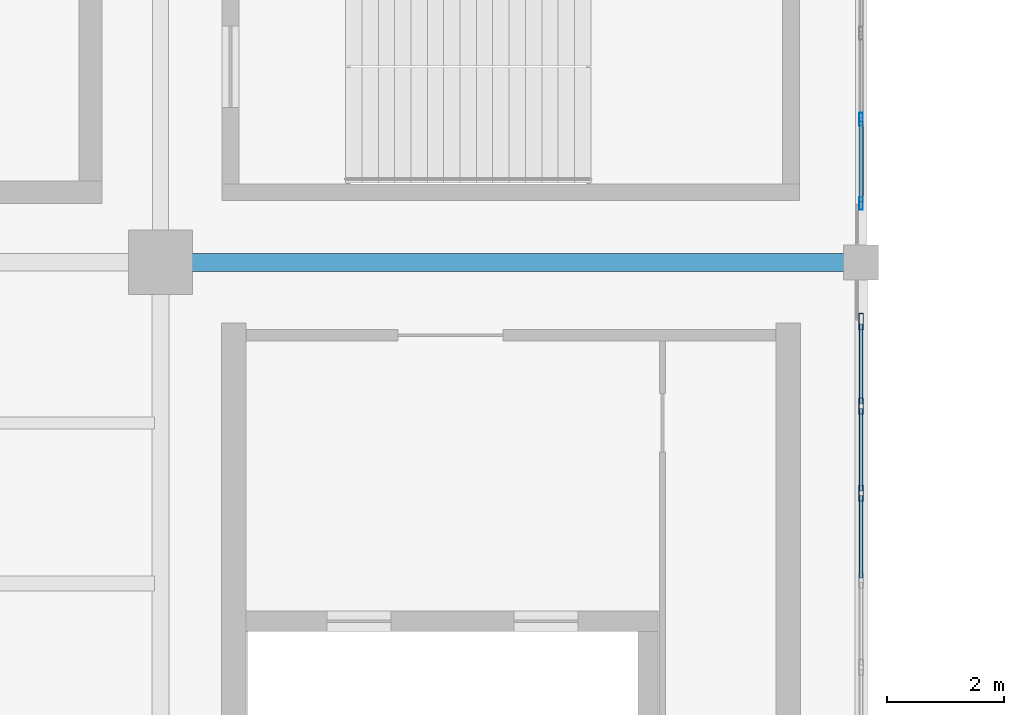
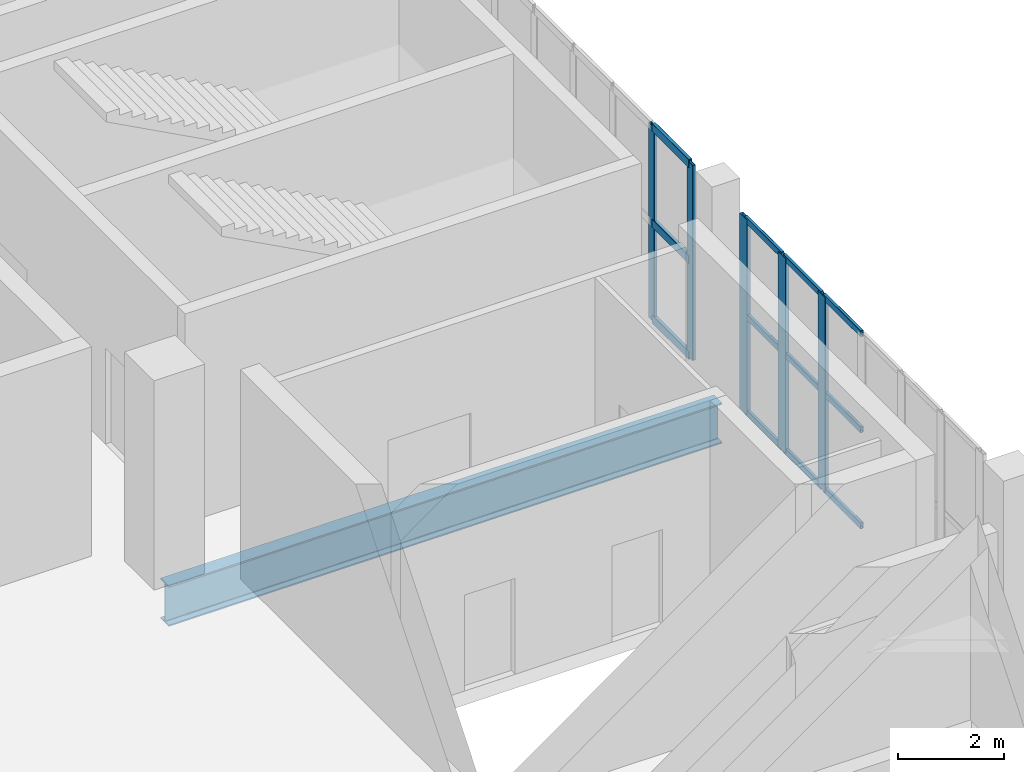
# One storey, part 84 of 136: 17 members, 1 beam, 2 elements without a shape of their own.
"""IFC4 building model written with IfcOpenShell, lengths in metres."""

from ifc_helpers import new_model, si_unit, direction, frame, origin, origin_2d, place, context, subcontext, project, spatial, hollow_rectangle, i_section, extrude, material, layer, layer_set, material_profile, profile_set, type_object, element, aggregate, save


model = new_model("IFC4")

# Units and contexts
model_context = context("Model", 3, precision=1e-05, world=origin(), true_north=direction((0.0, 1.0)))
body_context = subcontext(model_context, "Body", "Model", "MODEL_VIEW")
ifc_project = project(units=[si_unit("LENGTHUNIT", "METRE"), si_unit("AREAUNIT", "SQUARE_METRE"), si_unit("VOLUMEUNIT", "CUBIC_METRE"), si_unit("PLANEANGLEUNIT", "RADIAN"), si_unit("MASSUNIT", "GRAM", prefix="KILO")], contexts=[model_context])

# Site, building, storey
site_placement = place(None, origin())
site = spatial("IfcSite", under=ifc_project, at=site_placement, CompositionType="ELEMENT")
building_placement = place(site_placement, origin())
building = spatial("IfcBuilding", under=site, at=building_placement, Name="Brinegate Civic Arena", CompositionType="ELEMENT")
storey_placement = place(building_placement, frame((0.0, 0.0, 5.39990234375)))
storey = spatial("IfcBuildingStorey", under=building, at=storey_placement, Name="L01", CompositionType="ELEMENT", Elevation=5.39990234375)

# Curtain wall, members
ifc_material_1 = material(Name="Marine grade aluminium", Category="aluminium")
ifc_layer = layer(ifc_material_1, 0.199951171875, Name="Marine grade aluminium")
ifc_layer_set = layer_set([ifc_layer], Name="Marine grade aluminium")
curtain_wall_type = type_object("IfcCurtainWallType", Name="CW-BOWL-GLAZED-01", PredefinedType="USERDEFINED", material=ifc_layer_set)
curtain_wall_1_placement = place(storey_placement, origin())
curtain_wall_1 = element("IfcCurtainWall", 1, at=curtain_wall_1_placement, inside=storey, type_object=curtain_wall_type, Name="Curtain Wall CWA-059", ObjectType="GLAZED CURTAIN WALL", PredefinedType="USERDEFINED")
ifc_material_profile_1 = material_profile(ifc_material_1, hollow_rectangle(XDim=0.06494140625, YDim=0.219970703125, WallThickness=0.006103515625, InnerFilletRadius=0.00390625, OuterFilletRadius=0.008056640625, at=origin_2d()), Name="MUL65X220")
ifc_profile_set_1 = profile_set([ifc_material_profile_1], Name="Marine grade aluminium")
member_type_1 = type_object("IfcMemberType", Name="CW-MULLION-65X220", PredefinedType="MULLION", material=ifc_profile_set_1)
member_1_placement = place(storey_placement, frame((168.0, 94.006591796875, 0.0), z_axis=(0.0, 0.0, 1.0), x_axis=(-1.0, 0.0, 0.0)))
member_1 = element("IfcMember", 2, at=member_1_placement, type_object=member_type_1, Name="CWA-059 mullion 1", PredefinedType="MULLION", context=body_context, shape_type="SweptSolid", body=[
    extrude(hollow_rectangle(XDim=0.06494140625, YDim=0.219970703125, WallThickness=0.006103515625, InnerFilletRadius=0.00390625, OuterFilletRadius=0.008056640625, at=origin_2d()), origin(), (0.0, 0.0, 1.0), 4.47021484375),
])
member_2_placement = place(storey_placement, frame((168.0, 95.447265625, 0.0), z_axis=(0.0, 0.0, 1.0), x_axis=(-1.0, 0.0, 0.0)))
member_2 = element("IfcMember", 3, at=member_2_placement, type_object=member_type_1, Name="CWA-059 mullion 2", PredefinedType="MULLION", context=body_context, shape_type="SweptSolid", body=[
    extrude(hollow_rectangle(XDim=0.06494140625, YDim=0.219970703125, WallThickness=0.006103515625, InnerFilletRadius=0.00390625, OuterFilletRadius=0.008056640625, at=origin_2d()), origin(), (0.0, 0.0, 1.0), 4.47021484375),
])

curtain_wall_2_placement = place(storey_placement, origin())
curtain_wall_2 = element("IfcCurtainWall", 4, at=curtain_wall_2_placement, inside=storey, type_object=curtain_wall_type, Name="Curtain Wall CWA-057", ObjectType="GLAZED CURTAIN WALL", PredefinedType="USERDEFINED")
ifc_material_profile_2 = material_profile(ifc_material_1, hollow_rectangle(XDim=0.080078125, YDim=0.280029296875, WallThickness=0.007080078125, InnerFilletRadius=0.0048828125, OuterFilletRadius=0.010009765625, at=origin_2d()), Name="MUL80X280")
ifc_profile_set_2 = profile_set([ifc_material_profile_2], Name="Marine grade aluminium")
member_type_2 = type_object("IfcMemberType", Name="CW-MULLION-80X280", PredefinedType="MULLION", material=ifc_profile_set_2)
member_3_placement = place(storey_placement, frame((168.0, 89.0439453125, 0.0), z_axis=(0.0, 0.0, 1.0), x_axis=(-1.0, 0.0, 0.0)))
member_3 = element("IfcMember", 5, at=member_3_placement, type_object=member_type_2, Name="CWA-057 mullion 5", PredefinedType="MULLION", context=body_context, shape_type="SweptSolid", body=[
    extrude(hollow_rectangle(XDim=0.080078125, YDim=0.280029296875, WallThickness=0.007080078125, InnerFilletRadius=0.0048828125, OuterFilletRadius=0.010009765625, at=origin_2d()), origin(), (0.0, 0.0, 1.0), 4.47021484375),
])
member_4_placement = place(storey_placement, frame((168.0, 90.534912109375, 0.0), z_axis=(0.0, 0.0, 1.0), x_axis=(-1.0, 0.0, 0.0)))
member_4 = element("IfcMember", 6, at=member_4_placement, type_object=member_type_2, Name="CWA-057 mullion 6", PredefinedType="MULLION", context=body_context, shape_type="SweptSolid", body=[
    extrude(hollow_rectangle(XDim=0.080078125, YDim=0.280029296875, WallThickness=0.007080078125, InnerFilletRadius=0.0048828125, OuterFilletRadius=0.010009765625, at=origin_2d()), origin(), (0.0, 0.0, 1.0), 4.47021484375),
])
member_5_placement = place(storey_placement, frame((168.0, 91.986083984375, 0.0), z_axis=(0.0, 0.0, 1.0), x_axis=(-1.0, 0.0, 0.0)))
member_5 = element("IfcMember", 7, at=member_5_placement, type_object=member_type_2, Name="CWA-057 mullion 7", PredefinedType="MULLION", context=body_context, shape_type="SweptSolid", body=[
    extrude(hollow_rectangle(XDim=0.080078125, YDim=0.280029296875, WallThickness=0.007080078125, InnerFilletRadius=0.0048828125, OuterFilletRadius=0.010009765625, at=origin_2d()), origin(), (0.0, 0.0, 1.0), 4.47021484375),
])
ifc_material_profile_3 = material_profile(ifc_material_1, hollow_rectangle(XDim=0.06494140625, YDim=0.139892578125, WallThickness=0.0048828125, InnerFilletRadius=0.00390625, OuterFilletRadius=0.008056640625, at=origin_2d()), Name="TRN65X140")
ifc_profile_set_3 = profile_set([ifc_material_profile_3], Name="Marine grade aluminium")
member_type_3 = type_object("IfcMemberType", Name="CW-TRANSOM-65X140", PredefinedType="USERDEFINED", material=ifc_profile_set_3)
member_6_placement = place(storey_placement, frame((168.0, 87.593017578125, 0.03271484375), z_axis=(0.0, 1.0, 0.0), x_axis=(-1.0, 0.0, 0.0)))
member_6 = element("IfcMember", 8, at=member_6_placement, type_object=member_type_3, Name="CWA-057 transom 4.1", ObjectType="TRANSOM", PredefinedType="USERDEFINED", context=body_context, shape_type="SweptSolid", body=[
    extrude(hollow_rectangle(XDim=0.06494140625, YDim=0.139892578125, WallThickness=0.0048828125, InnerFilletRadius=0.00390625, OuterFilletRadius=0.008056640625, at=origin_2d()), origin(), (0.0, 0.0, 1.0), 1.410888671875),
])
member_7_placement = place(storey_placement, frame((168.0, 87.593017578125, 2.235107421875), z_axis=(0.0, 1.0, 0.0), x_axis=(-1.0, 0.0, 0.0)))
member_7 = element("IfcMember", 9, at=member_7_placement, type_object=member_type_3, Name="CWA-057 transom 4.2", ObjectType="TRANSOM", PredefinedType="USERDEFINED", context=body_context, shape_type="SweptSolid", body=[
    extrude(hollow_rectangle(XDim=0.06494140625, YDim=0.139892578125, WallThickness=0.0048828125, InnerFilletRadius=0.00390625, OuterFilletRadius=0.008056640625, at=origin_2d()), origin(), (0.0, 0.0, 1.0), 1.410888671875),
])
member_8_placement = place(storey_placement, frame((168.0, 87.593017578125, 4.4375), z_axis=(0.0, 1.0, 0.0), x_axis=(-1.0, 0.0, 0.0)))
member_8 = element("IfcMember", 10, at=member_8_placement, type_object=member_type_3, Name="CWA-057 transom 4.3", ObjectType="TRANSOM", PredefinedType="USERDEFINED", context=body_context, shape_type="SweptSolid", body=[
    extrude(hollow_rectangle(XDim=0.06494140625, YDim=0.139892578125, WallThickness=0.0048828125, InnerFilletRadius=0.00390625, OuterFilletRadius=0.008056640625, at=origin_2d()), origin(), (0.0, 0.0, 1.0), 1.410888671875),
])
member_9_placement = place(storey_placement, frame((168.0, 89.083984375, 0.03271484375), z_axis=(0.0, 1.0, 0.0), x_axis=(-1.0, 0.0, 0.0)))
member_9 = element("IfcMember", 11, at=member_9_placement, type_object=member_type_3, Name="CWA-057 transom 5.1", ObjectType="TRANSOM", PredefinedType="USERDEFINED", context=body_context, shape_type="SweptSolid", body=[
    extrude(hollow_rectangle(XDim=0.06494140625, YDim=0.139892578125, WallThickness=0.0048828125, InnerFilletRadius=0.00390625, OuterFilletRadius=0.008056640625, at=origin_2d()), origin(), (0.0, 0.0, 1.0), 1.4111328125),
])
member_10_placement = place(storey_placement, frame((168.0, 89.083984375, 2.235107421875), z_axis=(0.0, 1.0, 0.0), x_axis=(-1.0, 0.0, 0.0)))
member_10 = element("IfcMember", 12, at=member_10_placement, type_object=member_type_3, Name="CWA-057 transom 5.2", ObjectType="TRANSOM", PredefinedType="USERDEFINED", context=body_context, shape_type="SweptSolid", body=[
    extrude(hollow_rectangle(XDim=0.06494140625, YDim=0.139892578125, WallThickness=0.0048828125, InnerFilletRadius=0.00390625, OuterFilletRadius=0.008056640625, at=origin_2d()), origin(), (0.0, 0.0, 1.0), 1.4111328125),
])
member_11_placement = place(storey_placement, frame((168.0, 89.083984375, 4.4375), z_axis=(0.0, 1.0, 0.0), x_axis=(-1.0, 0.0, 0.0)))
member_11 = element("IfcMember", 13, at=member_11_placement, type_object=member_type_3, Name="CWA-057 transom 5.3", ObjectType="TRANSOM", PredefinedType="USERDEFINED", context=body_context, shape_type="SweptSolid", body=[
    extrude(hollow_rectangle(XDim=0.06494140625, YDim=0.139892578125, WallThickness=0.0048828125, InnerFilletRadius=0.00390625, OuterFilletRadius=0.008056640625, at=origin_2d()), origin(), (0.0, 0.0, 1.0), 1.4111328125),
])
member_12_placement = place(storey_placement, frame((168.0, 90.574951171875, 0.03271484375), z_axis=(0.0, 1.0, 0.0), x_axis=(-1.0, 0.0, 0.0)))
member_12 = element("IfcMember", 14, at=member_12_placement, type_object=member_type_3, Name="CWA-057 transom 6.1", ObjectType="TRANSOM", PredefinedType="USERDEFINED", context=body_context, shape_type="SweptSolid", body=[
    extrude(hollow_rectangle(XDim=0.06494140625, YDim=0.139892578125, WallThickness=0.0048828125, InnerFilletRadius=0.00390625, OuterFilletRadius=0.008056640625, at=origin_2d()), origin(), (0.0, 0.0, 1.0), 1.37109375),
])
member_13_placement = place(storey_placement, frame((168.0, 90.574951171875, 2.235107421875), z_axis=(0.0, 1.0, 0.0), x_axis=(-1.0, 0.0, 0.0)))
member_13 = element("IfcMember", 15, at=member_13_placement, type_object=member_type_3, Name="CWA-057 transom 6.2", ObjectType="TRANSOM", PredefinedType="USERDEFINED", context=body_context, shape_type="SweptSolid", body=[
    extrude(hollow_rectangle(XDim=0.06494140625, YDim=0.139892578125, WallThickness=0.0048828125, InnerFilletRadius=0.00390625, OuterFilletRadius=0.008056640625, at=origin_2d()), origin(), (0.0, 0.0, 1.0), 1.37109375),
])
member_14_placement = place(storey_placement, frame((168.0, 90.574951171875, 4.4375), z_axis=(0.0, 1.0, 0.0), x_axis=(-1.0, 0.0, 0.0)))
member_14 = element("IfcMember", 16, at=member_14_placement, type_object=member_type_3, Name="CWA-057 transom 6.3", ObjectType="TRANSOM", PredefinedType="USERDEFINED", context=body_context, shape_type="SweptSolid", body=[
    extrude(hollow_rectangle(XDim=0.06494140625, YDim=0.139892578125, WallThickness=0.0048828125, InnerFilletRadius=0.00390625, OuterFilletRadius=0.008056640625, at=origin_2d()), origin(), (0.0, 0.0, 1.0), 1.37109375),
])
aggregate(curtain_wall_2, [member_3, member_4, member_5, member_6, member_7, member_8, member_9, member_10, member_11, member_12, member_13, member_14])

# Member
ifc_material_profile_4 = material_profile(ifc_material_1, hollow_rectangle(XDim=0.074951171875, YDim=0.18994140625, WallThickness=0.006103515625, InnerFilletRadius=0.00390625, OuterFilletRadius=0.008056640625, at=origin_2d()), Name="TRN75X190")
ifc_profile_set_4 = profile_set([ifc_material_profile_4], Name="Marine grade aluminium")
member_type_4 = type_object("IfcMemberType", Name="CW-TRANSOM-75X190", PredefinedType="USERDEFINED", material=ifc_profile_set_4)
member_15_placement = place(storey_placement, frame((168.0, 94.0390625, 0.03759765625), z_axis=(0.0, 1.0, 0.0), x_axis=(-1.0, 0.0, 0.0)))
member_15 = element("IfcMember", 17, at=member_15_placement, type_object=member_type_4, Name="CWA-059 transom 1.1", ObjectType="TRANSOM", PredefinedType="USERDEFINED", context=body_context, shape_type="SweptSolid", body=[
    extrude(hollow_rectangle(XDim=0.074951171875, YDim=0.18994140625, WallThickness=0.006103515625, InnerFilletRadius=0.00390625, OuterFilletRadius=0.008056640625, at=origin_2d()), origin(), (0.0, 0.0, 1.0), 1.375732421875),
])

member_16_placement = place(storey_placement, frame((168.0, 94.0390625, 2.235107421875), z_axis=(0.0, 1.0, 0.0), x_axis=(-1.0, 0.0, 0.0)))
member_16 = element("IfcMember", 18, at=member_16_placement, type_object=member_type_4, Name="CWA-059 transom 1.2", ObjectType="TRANSOM", PredefinedType="USERDEFINED", context=body_context, shape_type="SweptSolid", body=[
    extrude(hollow_rectangle(XDim=0.074951171875, YDim=0.18994140625, WallThickness=0.006103515625, InnerFilletRadius=0.00390625, OuterFilletRadius=0.008056640625, at=origin_2d()), origin(), (0.0, 0.0, 1.0), 1.375732421875),
])

member_17_placement = place(storey_placement, frame((168.0, 94.0390625, 4.4326171875), z_axis=(0.0, 1.0, 0.0), x_axis=(-1.0, 0.0, 0.0)))
member_17 = element("IfcMember", 19, at=member_17_placement, type_object=member_type_4, Name="CWA-059 transom 1.3", ObjectType="TRANSOM", PredefinedType="USERDEFINED", context=body_context, shape_type="SweptSolid", body=[
    extrude(hollow_rectangle(XDim=0.074951171875, YDim=0.18994140625, WallThickness=0.006103515625, InnerFilletRadius=0.00390625, OuterFilletRadius=0.008056640625, at=origin_2d()), origin(), (0.0, 0.0, 1.0), 1.375732421875),
])

aggregate(curtain_wall_1, [member_1, member_2, member_15, member_16, member_17])

# Beam
ifc_material_2 = material(Name="Steel S355", Category="steel")
ifc_material_profile_5 = material_profile(ifc_material_2, i_section(OverallWidth=0.30810546875, OverallDepth=0.927001953125, WebThickness=0.01904296875, FlangeThickness=0.031982421875, FilletRadius=0.02392578125, at=origin_2d()), Name="W920X289")
ifc_profile_set_5 = profile_set([ifc_material_profile_5], Name="Steel S355")
beam_type = type_object("IfcBeamType", Name="GIRDER-W920X289", PredefinedType="BEAM", material=ifc_profile_set_5)
beam_placement = place(storey_placement, frame((156.0, 93.0, -0.802978515625), z_axis=(1.0, 0.0, 0.0), x_axis=(0.0, 1.0, 0.0)))
element("IfcBeam", 20, at=beam_placement, inside=storey, type_object=beam_type, Name="Floor Girder BM-L01-GX-13-09", PredefinedType="BEAM", context=body_context, shape_type="SweptSolid", body=[
    extrude(i_section(OverallWidth=0.30810546875, OverallDepth=0.927001953125, WebThickness=0.01904296875, FlangeThickness=0.031982421875, FilletRadius=0.02392578125, at=origin_2d()), origin(), (0.0, 0.0, 1.0), 12.0),
])

save(model, "model.ifc")
